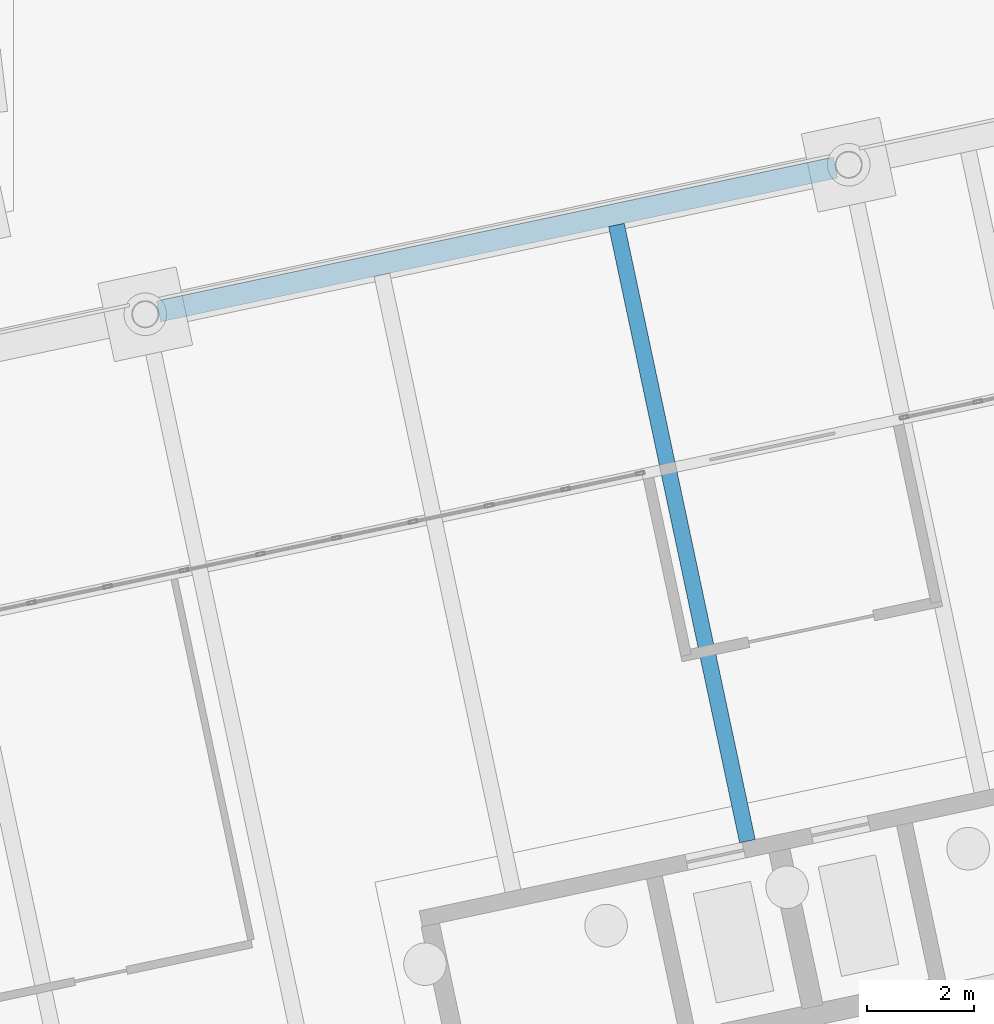
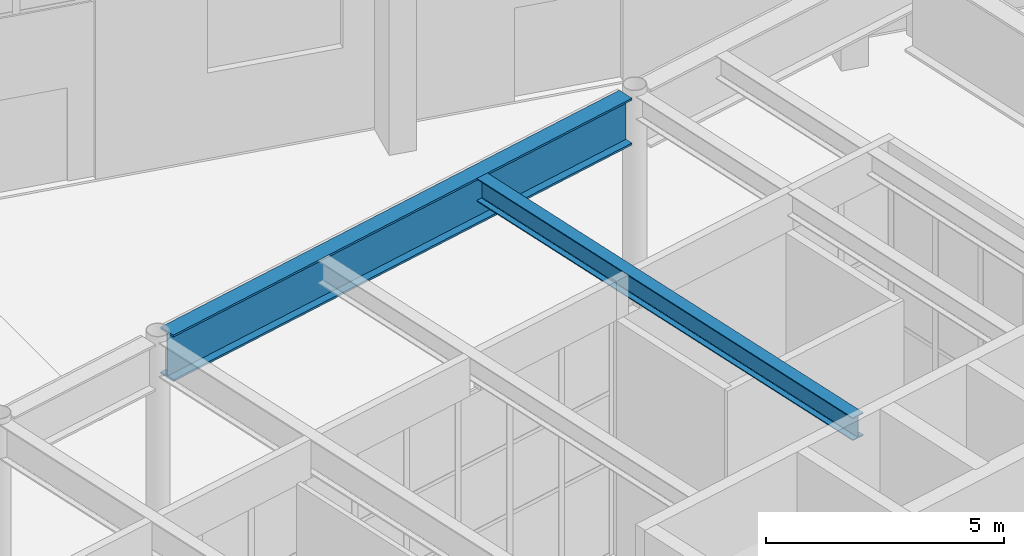
# One storey, part 119 of 239: 2 beams.
"""IFC4 building model written with IfcOpenShell, lengths in metres."""

from ifc_helpers import new_model, si_unit, direction, frame, origin, origin_2d, place, context, subcontext, project, spatial, i_section, extrude, material, material_profile, profile_set, type_object, element, save


model = new_model("IFC4")

# Units and contexts
model_context = context("Model", 3, precision=1e-05, world=origin(), true_north=direction((0.0, 1.0)))
body_context = subcontext(model_context, "Body", "Model", "MODEL_VIEW")
ifc_project = project(units=[si_unit("LENGTHUNIT", "METRE"), si_unit("AREAUNIT", "SQUARE_METRE"), si_unit("VOLUMEUNIT", "CUBIC_METRE"), si_unit("PLANEANGLEUNIT", "RADIAN"), si_unit("MASSUNIT", "GRAM", prefix="KILO")], contexts=[model_context])

# Site, building, storey
site_placement = place(None, origin())
site = spatial("IfcSite", under=ifc_project, at=site_placement, CompositionType="ELEMENT")
building_placement = place(site_placement, origin())
building = spatial("IfcBuilding", under=site, at=building_placement, Name="Okhra Congress Centre", CompositionType="ELEMENT")
storey_placement = place(building_placement, origin())
storey = spatial("IfcBuildingStorey", under=building, at=storey_placement, Name="L00", CompositionType="ELEMENT", Elevation=0.0)

# Beams
ifc_material = material(Name="Steel S355J2", Category="steel")
ifc_material_profile_1 = material_profile(ifc_material, i_section(OverallWidth=0.300048828125, OverallDepth=0.590087890625, WebThickness=0.012939453125, FlangeThickness=0.02490234375, FilletRadius=0.027099609375, at=origin_2d()), Name="HE 600 A")
ifc_profile_set_1 = profile_set([ifc_material_profile_1], Name="Steel S355J2")
beam_type_1 = type_object("IfcBeamType", Name="Floor beam HE 600 A", PredefinedType="BEAM", material=ifc_profile_set_1)
beam_1_placement = place(storey_placement, frame((203.776123046875, 69.3974609375, 6.7548828125), z_axis=(-0.207905918374, 0.978148827687, 0.0), x_axis=(-0.978148827687, -0.207905918374, 0.0)))
element("IfcBeam", 1, at=beam_1_placement, inside=storey, type_object=beam_type_1, Name="Floor beam 33.2", PredefinedType="BEAM", context=body_context, shape_type="SweptSolid", body=[
    extrude(i_section(OverallWidth=0.300048828125, OverallDepth=0.590087890625, WebThickness=0.012939453125, FlangeThickness=0.02490234375, FilletRadius=0.027099609375, at=origin_2d()), origin(), (0.0, 0.0, 1.0), 11.824951171875),
])
ifc_material_profile_2 = material_profile(ifc_material, i_section(OverallWidth=0.39990234375, OverallDepth=1.199951171875, WebThickness=0.02490234375, FlangeThickness=0.050048828125, at=origin_2d()), Name="Plate girder 1200x400")
ifc_profile_set_2 = profile_set([ifc_material_profile_2], Name="Steel S355J2")
beam_type_2 = type_object("IfcBeamType", Name="Perimeter plate girder 1200x400", PredefinedType="BEAM", material=ifc_profile_set_2)
beam_2_placement = place(storey_placement, frame((192.72119140625, 79.34130859375, 6.449951171875), z_axis=(0.97814757837, 0.207911796032, 0.0), x_axis=(-0.207911796032, 0.97814757837, 0.0)))
element("IfcBeam", 2, at=beam_2_placement, inside=storey, type_object=beam_type_2, Name="Perimeter girder N29", PredefinedType="BEAM", context=body_context, shape_type="SweptSolid", body=[
    extrude(i_section(OverallWidth=0.39990234375, OverallDepth=1.199951171875, WebThickness=0.02490234375, FlangeThickness=0.050048828125, at=origin_2d()), origin(), (0.0, 0.0, 1.0), 12.991943359375),
])

save(model, "model.ifc")
